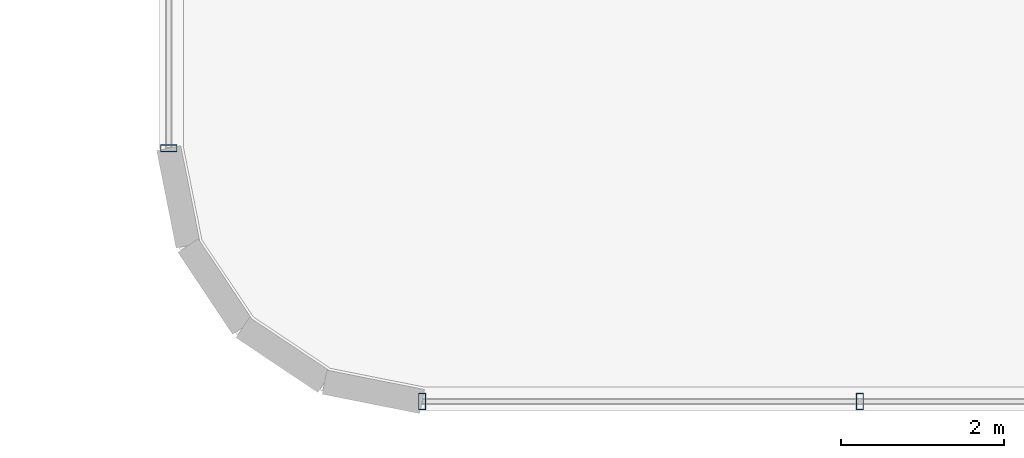
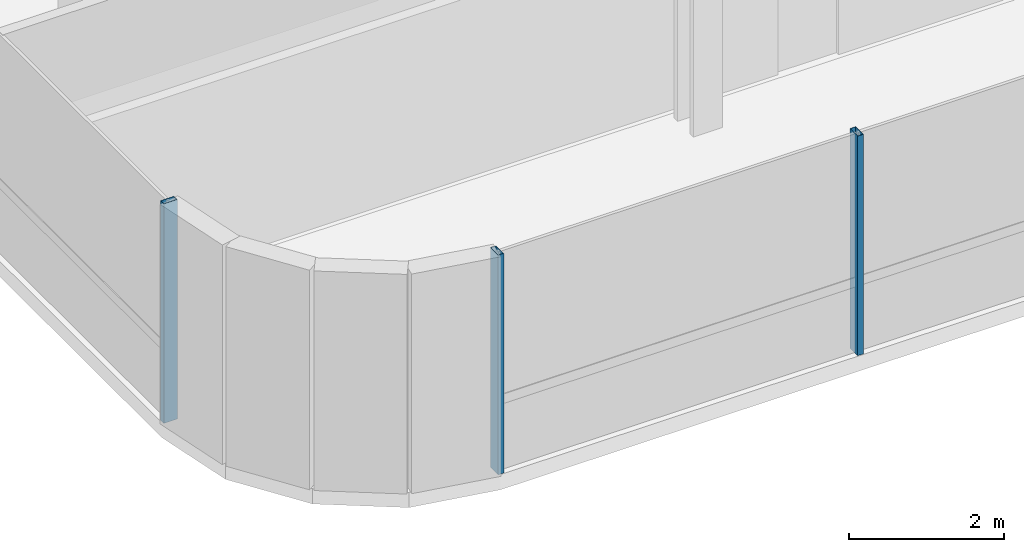
# One storey, part 2 of 39: 3 members, 2 elements without a shape of their own.
"""IFC4 building model written with IfcOpenShell, lengths in metres."""

from ifc_helpers import new_model, si_unit, direction, frame, origin, origin_2d, place, context, subcontext, project, spatial, hollow_rectangle, extrude, source, transform, mapped, material, material_profile, profile_set, type_object, element, aggregate, save


model = new_model("IFC4")

# Units and contexts
model_context = context("Model", 3, precision=1e-05, world=origin(), true_north=direction((0.0, 1.0)))
body_context = subcontext(model_context, "Body", "Model", "MODEL_VIEW")
ifc_project = project(units=[si_unit("LENGTHUNIT", "METRE"), si_unit("AREAUNIT", "SQUARE_METRE"), si_unit("VOLUMEUNIT", "CUBIC_METRE"), si_unit("PLANEANGLEUNIT", "RADIAN"), si_unit("MASSUNIT", "GRAM", prefix="KILO")], contexts=[model_context])

# Site, building, storey
site_placement = place(None, origin())
site = spatial("IfcSite", under=ifc_project, at=site_placement, CompositionType="ELEMENT")
building_placement = place(site_placement, origin())
building = spatial("IfcBuilding", under=site, at=building_placement, Name="Valdorenza Pilgrim Sanctuary Tower", CompositionType="ELEMENT")
storey_placement = place(building_placement, frame((0.0, 0.0, 70.39990234375)))
storey = spatial("IfcBuildingStorey", under=building, at=storey_placement, Name="L17", CompositionType="ELEMENT", Elevation=70.39990234375)

# Curtain wall, member
ifc_material_1 = material(Name="Curtain-wall IGU glazing", Category="glass")
curtain_wall_type = type_object("IfcCurtainWallType", Name="CW-SYS-02", PredefinedType="NOTDEFINED", material=ifc_material_1)
curtain_wall_1_placement = place(storey_placement, origin())
curtain_wall_1 = element("IfcCurtainWall", 1, at=curtain_wall_1_placement, inside=storey, type_object=curtain_wall_type, Name="L17 Curtain Wall CW-L17-1-1S1", PredefinedType="NOTDEFINED")
ifc_material_2 = material(Name="Anodised aluminium AW-6060", Category="aluminium")
ifc_material_profile = material_profile(ifc_material_2, hollow_rectangle(XDim=0.0849609375, YDim=0.199951171875, WallThickness=0.0048828125, at=origin_2d()), Name="ALU-M 200x85x5")
ifc_profile_set = profile_set([ifc_material_profile], Name="Anodised aluminium AW-6060")
member_type = type_object("IfcMemberType", Name="CW-MUL-02", PredefinedType="MULLION", material=ifc_profile_set)
shared_shape = source(origin(), body_context, "Body", "SweptSolid", [
    extrude(hollow_rectangle(XDim=0.0849609375, YDim=0.199951171875, WallThickness=0.0048828125, at=origin_2d()), origin(), (0.0, 0.0, 1.0), 3.460205078125),
])
member_1_placement = place(storey_placement, frame((-31.889892578125, -15.789306640625, 0.0), z_axis=(0.0, 0.0, 1.0), x_axis=(0.0, 1.0, 0.0)))
member_1 = element("IfcMember", 2, at=member_1_placement, type_object=member_type, Name="CW-L17-1-1S1 Mullion 1", PredefinedType="MULLION", context=body_context, shape_type="MappedRepresentation", body=[
    mapped(shared_shape, transform((0.0, 0.0, 0.0), x_axis=(1.0, 0.0, 0.0), y_axis=(0.0, 1.0, 0.0), z_axis=(0.0, 0.0, 1.0), scale=1.0)),
])
aggregate(curtain_wall_1, [member_1])

# Curtain wall, members
curtain_wall_2_placement = place(storey_placement, origin())
curtain_wall_2 = element("IfcCurtainWall", 3, at=curtain_wall_2_placement, inside=storey, type_object=curtain_wall_type, Name="L17 Curtain Wall CW-L17-1-46", PredefinedType="NOTDEFINED")
member_2_placement = place(storey_placement, frame((-23.4296875, -18.889892578125, 0.0), z_axis=(0.0, 0.0, 1.0), x_axis=(-1.0, 0.0, 0.0)))
member_2 = element("IfcMember", 4, at=member_2_placement, type_object=member_type, Name="CW-L17-1-46 Mullion 3", PredefinedType="MULLION", context=body_context, shape_type="MappedRepresentation", body=[
    mapped(shared_shape, transform((0.0, 0.0, 0.0), x_axis=(1.0, 0.0, 0.0), y_axis=(0.0, 1.0, 0.0), z_axis=(0.0, 0.0, 1.0), scale=1.0)),
])
member_3_placement = place(storey_placement, frame((-28.789306640625, -18.889892578125, 0.0), z_axis=(0.0, 0.0, 1.0), x_axis=(-1.0, 0.0, 0.0)))
member_3 = element("IfcMember", 5, at=member_3_placement, type_object=member_type, Name="CW-L17-1-46 Mullion 4", PredefinedType="MULLION", context=body_context, shape_type="MappedRepresentation", body=[
    mapped(shared_shape, transform((0.0, 0.0, 0.0), x_axis=(1.0, 0.0, 0.0), y_axis=(0.0, 1.0, 0.0), z_axis=(0.0, 0.0, 1.0), scale=1.0)),
])
aggregate(curtain_wall_2, [member_2, member_3])

save(model, "model.ifc")
